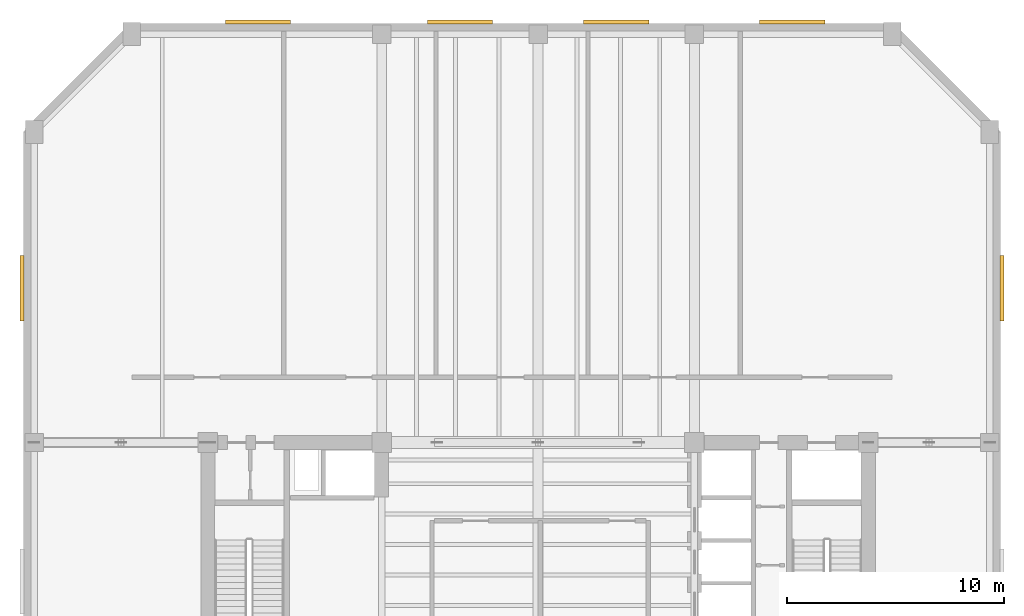
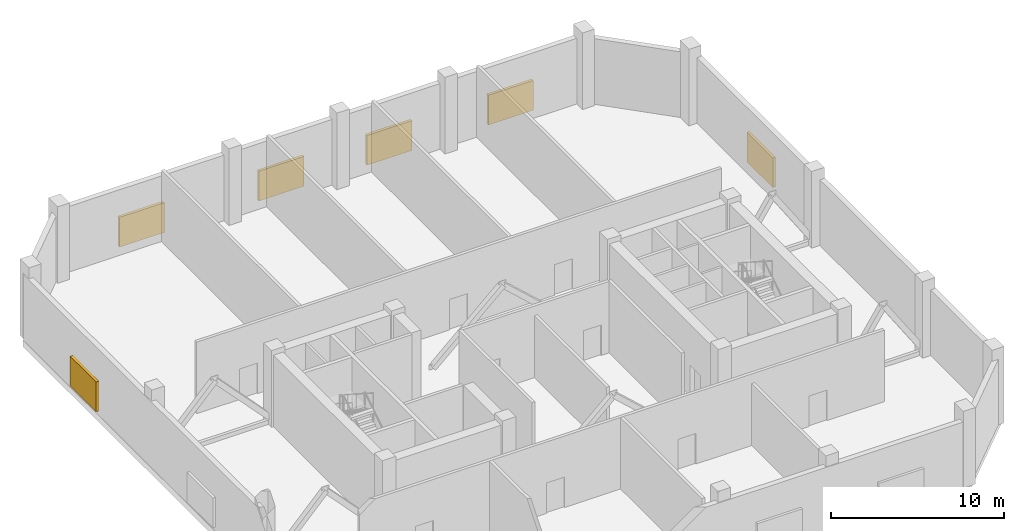
# One storey, part 9 of 9: 6 shading devices.
"""IFC4 building model written with IfcOpenShell, lengths in metres."""

from ifc_helpers import new_model, si_unit, direction, frame, origin, origin_2d, place, context, subcontext, project, spatial, rectangle, extrude, material, type_object, element, save


model = new_model("IFC4")

# Units and contexts
model_context = context("Model", 3, precision=1e-05, world=origin(), true_north=direction((0.0, 1.0)))
body_context = subcontext(model_context, "Body", "Model", "MODEL_VIEW")
ifc_project = project(units=[si_unit("LENGTHUNIT", "METRE"), si_unit("AREAUNIT", "SQUARE_METRE"), si_unit("VOLUMEUNIT", "CUBIC_METRE"), si_unit("PLANEANGLEUNIT", "RADIAN"), si_unit("MASSUNIT", "GRAM", prefix="KILO")], contexts=[model_context])

# Site, building, storey
site_placement = place(None, origin())
site = spatial("IfcSite", under=ifc_project, at=site_placement, CompositionType="ELEMENT")
building_placement = place(site_placement, origin())
building = spatial("IfcBuilding", under=site, at=building_placement, Name="Kranthara Brick Stack", CompositionType="ELEMENT")
storey_placement = place(building_placement, frame((0.0, 0.0, 197.300048828125)))
storey = spatial("IfcBuildingStorey", under=building, at=storey_placement, Name="L51", CompositionType="ELEMENT", Elevation=197.300048828125)

# Shading devices
ifc_material = material(Name="Bronze anodised aluminium acoustic louvre", Category="aluminium")
shading_device_type = type_object("IfcShadingDeviceType", Name="SHD-LOUVRE-PLANT", PredefinedType="JALOUSIE", material=ifc_material)
for number, where, z_axis, x_axis, name in (
    (1, (15.10009765625, 52.9599609375, 0.2998046875), (0.0, 0.0, 1.0), (1.0, 0.0, 0.0), "L51 NORTH Mechanical Louvre Bank 1"),
    (2, (24.39990234375, 52.9599609375, 0.2998046875), (0.0, 0.0, 1.0), (1.0, 0.0, 0.0), "L51 NORTH Mechanical Louvre Bank 2"),
    (3, (31.60009765625, 52.9599609375, 0.2998046875), (0.0, 0.0, 1.0), (1.0, 0.0, 0.0), "L51 NORTH Mechanical Louvre Bank 3"),
    (4, (39.699951171875, 52.9599609375, 0.2998046875), (0.0, 0.0, 1.0), (1.0, 0.0, 0.0), "L51 NORTH Mechanical Louvre Bank 4"),
    (5, (4.239990234375, 40.699951171875, 0.2998046875), (0.0, 0.0, 1.0), (0.0, 1.0, 0.0), "L51 WEST Mechanical Louvre Bank 3"),
    (6, (49.360107421875, 40.699951171875, 0.2998046875), (0.0, 0.0, 1.0), (0.0, -1.0, 0.0), "L51 EAST Mechanical Louvre Bank 1"),
):
    element("IfcShadingDevice", number, at=place(storey_placement, frame(where, z_axis=z_axis, x_axis=x_axis)), inside=storey, type_object=shading_device_type, Name=name, PredefinedType="JALOUSIE", context=body_context, shape_type="SweptSolid", body=[
        extrude(rectangle(XDim=3.0, YDim=0.179931640625, at=origin_2d()), origin(), (0.0, 0.0, 1.0), 2.10009765625),
    ])

save(model, "model.ifc")
